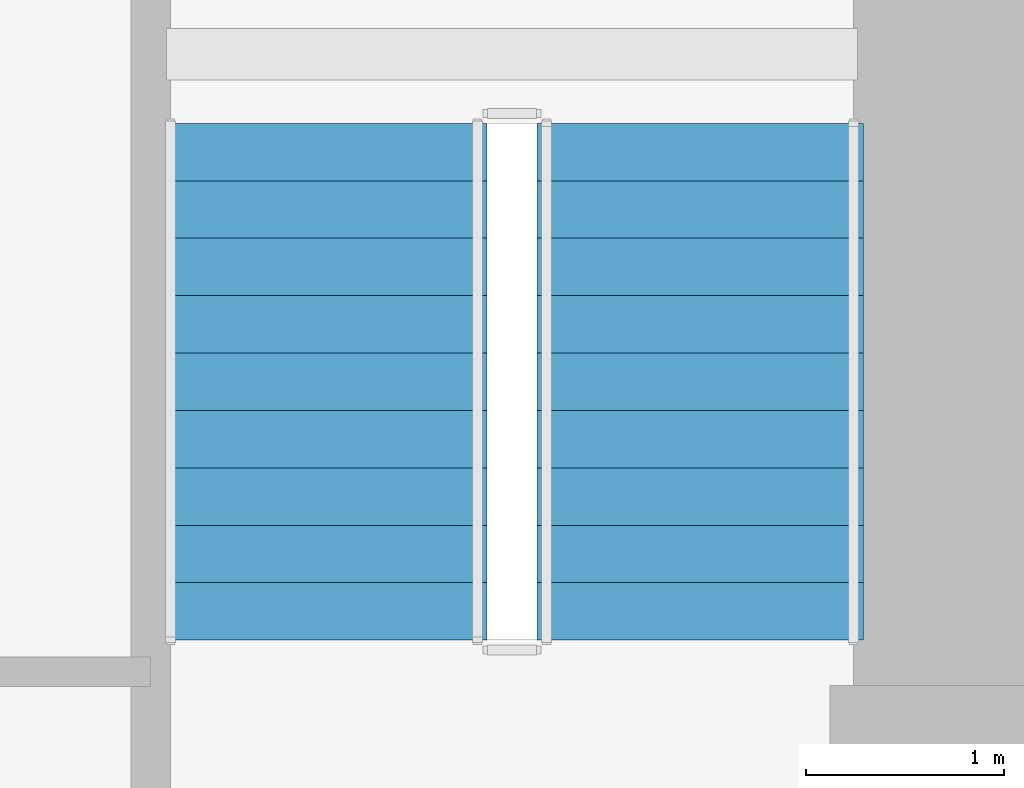
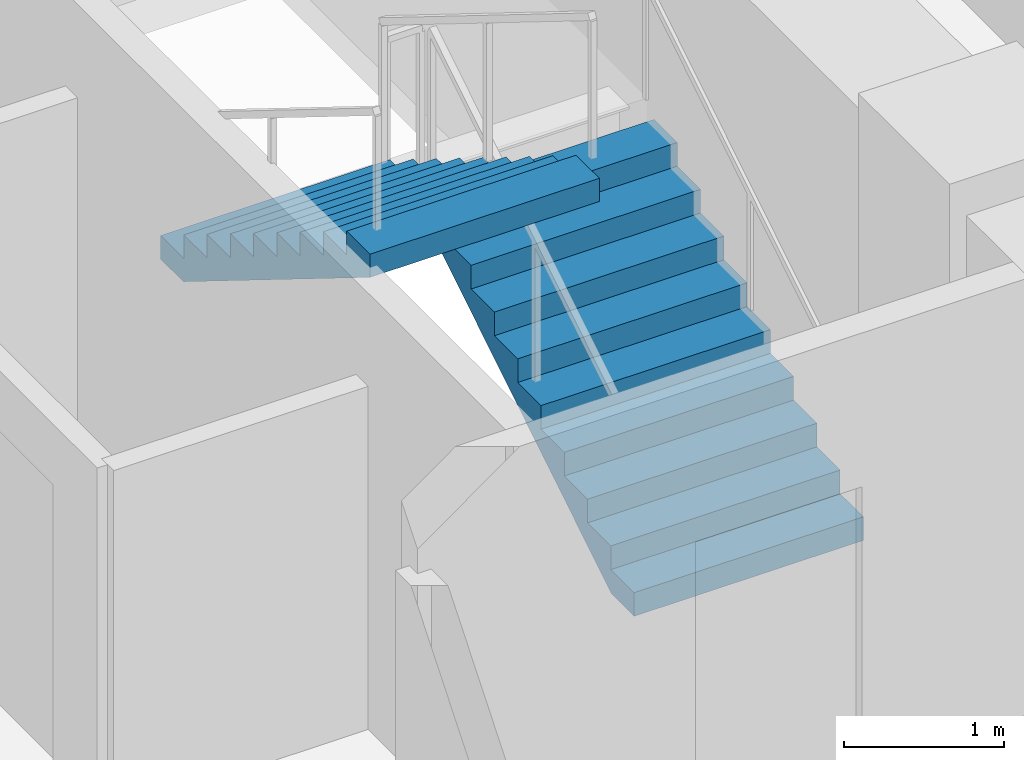
# One storey, part 13 of 15: 2 stair flights, 1 element without a shape of its own.
"""IFC4 building model written with IfcOpenShell, lengths in metres."""

import ifcopenshell
import ifcopenshell.guid

model = None  # the IFC model being written
_history = None  # IfcOwnerHistory: only IFC2X3 demands one
_inside = {}  # id of a spatial element -> (the spatial element, [elements in it])
_under = {}  # id of a project, library or spatial element -> (it, [spatial elements below it])
_declared = {}  # id of a project -> (the project, [libraries it declares])
_typed = {}  # id of a type object -> (the type object, [elements of that type])
_made_of = {}  # id of a material, layer set ... -> (it, [elements and type objects made of it])


def new_model(schema):
    """Start an empty IFC model of exactly this schema.

    Asked for "IFC4X3", IfcOpenShell would pick the latest addendum, in which some entities
    have other attributes; the version numbers below select the first issue.
    IFC2X3 requires an IfcOwnerHistory on every rooted entity: one is made here for all.
    """
    global model, _history
    if schema == "IFC4X3":
        model = ifcopenshell.file(schema_version=(4, 3, 0, 0))
    else:
        model = ifcopenshell.file(schema=schema)
    _inside.clear()
    _under.clear()
    _declared.clear()
    _typed.clear()
    _made_of.clear()
    _history = None
    if model.schema == "IFC2X3":
        org = make("IfcOrganization", Name="unknown")
        user = make(
            "IfcPersonAndOrganization",
            ThePerson=make("IfcPerson", FamilyName="unknown"),
            TheOrganization=org,
        )
        app = make(
            "IfcApplication",
            ApplicationDeveloper=org,
            Version="unknown",
            ApplicationFullName="unknown",
            ApplicationIdentifier="unknown",
        )
        _history = make(
            "IfcOwnerHistory",
            OwningUser=user,
            OwningApplication=app,
            ChangeAction="ADDED",
            CreationDate=0,
        )
    return model


def make(cls, **values):
    """One entity of the class cls with the attributes given. An attribute that is None is left unset."""
    return model.create_entity(
        cls, **{name: value for name, value in values.items() if value is not None}
    )


def rooted(cls, **values):
    """An entity with a GlobalId (a new one), such as an element, a storey or a relation."""
    return make(cls, GlobalId=ifcopenshell.guid.new(), OwnerHistory=_history, **values)


def si_unit(unit_type, name, prefix=None):
    """IfcSIUnit, for example si_unit("LENGTHUNIT", "METRE", prefix="MILLI")."""
    return make("IfcSIUnit", UnitType=unit_type, Prefix=prefix, Name=name)


def derived_unit(unit_type, elements):
    """IfcDerivedUnit: a product of units, each with its exponent."""
    return make(
        "IfcDerivedUnit",
        Elements=[
            make("IfcDerivedUnitElement", Unit=unit, Exponent=power)
            for unit, power in elements
        ],
        UnitType=unit_type,
    )


def assignment(units):
    """IfcUnitAssignment: the units of a project."""
    return None if units is None else make("IfcUnitAssignment", Units=units)


def point(xyz):
    """IfcCartesianPoint."""
    return None if xyz is None else make("IfcCartesianPoint", Coordinates=xyz)


def direction(xyz):
    """IfcDirection."""
    return None if xyz is None else make("IfcDirection", DirectionRatios=xyz)


def frame(location, z_axis=None, x_axis=None):
    """IfcAxis2Placement3D, a coordinate frame: its origin and axes. An axis left out is left unset."""
    return make(
        "IfcAxis2Placement3D",
        Location=point(location),
        Axis=direction(z_axis),
        RefDirection=direction(x_axis),
    )


def origin():
    """The frame at (0, 0, 0) with its axes left unset."""
    return frame((0.0, 0.0, 0.0))


def place(relative_to, where):
    """IfcLocalPlacement: puts the frame where relative to a parent placement (None: the world)."""
    return make(
        "IfcLocalPlacement", PlacementRelTo=relative_to, RelativePlacement=where
    )


def context(
    kind, dimensions, precision=None, world=None, true_north=None, identifier=None
):
    """IfcGeometricRepresentationContext, for example the 3D "Model" context."""
    return make(
        "IfcGeometricRepresentationContext",
        ContextIdentifier=identifier,
        ContextType=kind,
        CoordinateSpaceDimension=dimensions,
        Precision=precision,
        WorldCoordinateSystem=world,
        TrueNorth=true_north,
    )


def subcontext(parent, identifier, kind, view, scale=None):
    """IfcGeometricRepresentationSubContext, for example "Body" below "Model"."""
    return make(
        "IfcGeometricRepresentationSubContext",
        ContextIdentifier=identifier,
        ContextType=kind,
        ParentContext=parent,
        TargetScale=scale,
        TargetView=view,
    )


def project(units=None, contexts=None):
    """IfcProject with its units and contexts."""
    return rooted(
        "IfcProject",
        Name="project",
        RepresentationContexts=contexts,
        UnitsInContext=assignment(units),
    )


def spatial(cls, under=None, at=None, **own):
    """A site, building, storey or space (cls), placed at a placement, below another one or the project."""
    s = rooted(cls, ObjectPlacement=at, **own)
    if under is not None:
        _under.setdefault(under.id(), (under, []))[1].append(s)
    return s


def polyline(points):
    """IfcPolyline through the points."""
    return make("IfcPolyline", Points=[point(p) for p in points])


def outline(outer, holes=None, kind="AREA"):
    """IfcArbitraryClosedProfileDef: a profile drawn as a closed curve; with holes, ...WithVoids."""
    if holes is None:
        return make("IfcArbitraryClosedProfileDef", ProfileType=kind, OuterCurve=outer)
    return make(
        "IfcArbitraryProfileDefWithVoids",
        ProfileType=kind,
        OuterCurve=outer,
        InnerCurves=holes,
    )


def extrude(swept, where, along, depth):
    """IfcExtrudedAreaSolid: the profile swept, set in the frame where, extruded along a direction by depth."""
    return make(
        "IfcExtrudedAreaSolid",
        SweptArea=swept,
        Position=where,
        ExtrudedDirection=direction(along),
        Depth=depth,
    )


def shape(context_of_items, identifier, shape_type, items):
    """IfcShapeRepresentation: the items that make up one representation, for example the "Body"."""
    return make(
        "IfcShapeRepresentation",
        ContextOfItems=context_of_items,
        RepresentationIdentifier=identifier,
        RepresentationType=shape_type,
        Items=items,
    )


def material(Name=None, Category=None):
    """IfcMaterial."""
    return make("IfcMaterial", Name=Name, Category=Category)


def made_of(thing, what):
    """Note that an element or type object is made of a material, layer set ...; save() writes the relation."""
    if what is not None:
        _made_of.setdefault(what.id(), (what, []))[1].append(thing)
    return thing


def type_object(cls, material=None, **own):
    """A type object (cls), such as IfcWallType, which elements share."""
    return made_of(rooted(cls, **own), material)


def element(
    cls,
    number,
    at=None,
    inside=None,
    cuts=None,
    type_object=None,
    material=None,
    context=None,
    identifier="Body",
    shape_type=None,
    held_by="IfcProductDefinitionShape",
    body=None,
    shapes=None,
    **own,
):
    """One element of the class cls, such as IfcWall. Its Tag is "e" and its number.

    at: its placement. inside: the storey or other place that contains it. cuts: it is an
    opening in that element (IfcRelVoidsElement). A single representation is given by context,
    identifier, shape_type and body (its items); several are given by shapes. held_by: the class
    of the entity that holds the representations. save() writes the other relations.
    """
    e = rooted(cls, Tag="e%d" % number, ObjectPlacement=at, **own)
    if body is not None:
        shapes = [shape(context, identifier, shape_type, body)]
    if shapes is not None:
        e.Representation = make(held_by, Representations=shapes)
    if inside is not None:
        _inside.setdefault(inside.id(), (inside, []))[1].append(e)
    if cuts is not None:
        rooted(
            "IfcRelVoidsElement", RelatingBuildingElement=cuts, RelatedOpeningElement=e
        )
    if type_object is not None:
        _typed.setdefault(type_object.id(), (type_object, []))[1].append(e)
    return made_of(e, material)


def aggregate(whole, parts):
    """IfcRelAggregates: a whole, such as a stair, and the parts it consists of."""
    return rooted("IfcRelAggregates", RelatingObject=whole, RelatedObjects=parts)


def save(model, path):
    """Write the relations noted so far, then the file.

    IfcRelAggregates (storeys below a building ...), IfcRelContainedInSpatialStructure (elements
    in a storey), IfcRelDefinesByType, IfcRelAssociatesMaterial and IfcRelDeclares: one each for
    every whole, place, type object, material and project.
    """
    for whole, parts in _under.values():
        aggregate(whole, parts)
    for where, things in _inside.values():
        rooted(
            "IfcRelContainedInSpatialStructure",
            RelatedElements=things,
            RelatingStructure=where,
        )
    for kind, things in _typed.values():
        rooted("IfcRelDefinesByType", RelatedObjects=things, RelatingType=kind)
    for what, things in _made_of.values():
        rooted("IfcRelAssociatesMaterial", RelatedObjects=things, RelatingMaterial=what)
    for by, libraries in _declared.values():
        rooted("IfcRelDeclares", RelatingContext=by, RelatedDefinitions=libraries)
    model.write(path)


model = new_model("IFC4")

# Units and contexts
model_context = context("Model", 3, precision=1e-05, world=origin(), true_north=direction((0.0, 1.0)))
body_context = subcontext(model_context, "Body", "Model", "MODEL_VIEW")
ifc_project = project(units=[si_unit("LENGTHUNIT", "METRE"), si_unit("AREAUNIT", "SQUARE_METRE"), si_unit("VOLUMEUNIT", "CUBIC_METRE"), si_unit("PLANEANGLEUNIT", "RADIAN"), si_unit("MASSUNIT", "GRAM", prefix="KILO"), derived_unit("THERMALTRANSMITTANCEUNIT", [(si_unit("POWERUNIT", "WATT"), 1), (si_unit("LENGTHUNIT", "METRE"), -2), (si_unit("THERMODYNAMICTEMPERATUREUNIT", "KELVIN"), -1)])], contexts=[model_context])

# Site, building, storey
site_placement = place(None, origin())
site = spatial("IfcSite", under=ifc_project, at=site_placement, CompositionType="ELEMENT")
building_placement = place(site_placement, origin())
building = spatial("IfcBuilding", under=site, at=building_placement, Name="Koralith Skygarden Medical Center", CompositionType="ELEMENT")
storey_placement = place(building_placement, frame((0.0, 0.0, 27.5400390625)))
storey = spatial("IfcBuildingStorey", under=building, at=storey_placement, Name="L06", CompositionType="ELEMENT", Elevation=27.5400390625)

# Stair, stair flights
ifc_material = material(Name="Concrete C45/55", Category="concrete")
stair_type = type_object("IfcStairType", Name="Core Exit Dogleg Concrete Stair", PredefinedType="HALF_TURN_STAIR", material=ifc_material)
stair_placement = place(storey_placement, origin())
stair = element("IfcStair", 1, at=stair_placement, inside=storey, type_object=stair_type, Name="L06 Smokeproof Exit Stair ST2", PredefinedType="HALF_TURN_STAIR")
stair_flight_type = type_object("IfcStairFlightType", Name="Core Exit Concrete Stair Flight 1650", PredefinedType="STRAIGHT", material=ifc_material)
stair_flight_1_placement = place(storey_placement, frame((46.97509765625, 26.699951171875, 0.0), z_axis=(0.0, 0.0, 1.0), x_axis=(0.0, 1.0, 0.0)))
stair_flight_1 = element("IfcStairFlight", 2, at=stair_flight_1_placement, type_object=stair_flight_type, Name="ST2 flight 1", NumberOfRisers=10, NumberOfTreads=9, PredefinedType="STRAIGHT", RiserHeight=0.18, TreadLength=0.29, context=body_context, shape_type="SweptSolid", body=[
    extrude(outline(polyline([(0.0, 0.0), (0.0, 0.179931640625), (0.2900390625, 0.179931640625), (0.2900390625, 0.360107421875), (0.580078125, 0.360107421875), (0.580078125, 0.5400390625), (0.8701171875, 0.5400390625), (0.8701171875, 0.719970703125), (1.159912109375, 0.719970703125), (1.159912109375, 0.89990234375), (1.449951171875, 0.89990234375), (1.449951171875, 1.080078125), (1.739990234375, 1.080078125), (1.739990234375, 1.260009765625), (2.030029296875, 1.260009765625), (2.030029296875, 1.43994140625), (2.320068359375, 1.43994140625), (2.320068359375, 1.6201171875), (2.610107421875, 1.6201171875), (2.610107421875, 1.800048828125), (2.610107421875, 1.443603515625), (0.2841796875, 0.0), (0.0, 0.0)])), frame((0.0, 0.824951171875, 0.0), z_axis=(0.0, -1.0, 0.0), x_axis=(1.0, 0.0, 0.0)), (0.0, 0.0, 1.0), 1.64990234375),
])
stair_flight_2_placement = place(storey_placement, frame((45.074951171875, 29.31005859375, 1.800048828125), z_axis=(0.0, 0.0, 1.0), x_axis=(0.0, -1.0, 0.0)))
stair_flight_2 = element("IfcStairFlight", 3, at=stair_flight_2_placement, type_object=stair_flight_type, Name="ST2 flight 2", NumberOfRisers=10, NumberOfTreads=9, PredefinedType="STRAIGHT", RiserHeight=0.18, TreadLength=0.29, context=body_context, shape_type="SweptSolid", body=[
    extrude(outline(polyline([(0.0, 0.0), (0.0, 0.179931640625), (0.2900390625, 0.179931640625), (0.2900390625, 0.360107421875), (0.580078125, 0.360107421875), (0.580078125, 0.5400390625), (0.8701171875, 0.5400390625), (0.8701171875, 0.719970703125), (1.159912109375, 0.719970703125), (1.159912109375, 0.89990234375), (1.449951171875, 0.89990234375), (1.449951171875, 1.080078125), (1.739990234375, 1.080078125), (1.739990234375, 1.260009765625), (2.030029296875, 1.260009765625), (2.030029296875, 1.43994140625), (2.320068359375, 1.43994140625), (2.320068359375, 1.6201171875), (2.610107421875, 1.6201171875), (2.610107421875, 1.800048828125), (2.610107421875, 1.443603515625), (0.2841796875, 0.0), (0.0, 0.0)])), frame((0.0, 0.824951171875, 0.0), z_axis=(0.0, -1.0, 0.0), x_axis=(1.0, 0.0, 0.0)), (0.0, 0.0, 1.0), 1.64990234375),
])
aggregate(stair, [stair_flight_1, stair_flight_2])

save(model, "model.ifc")
